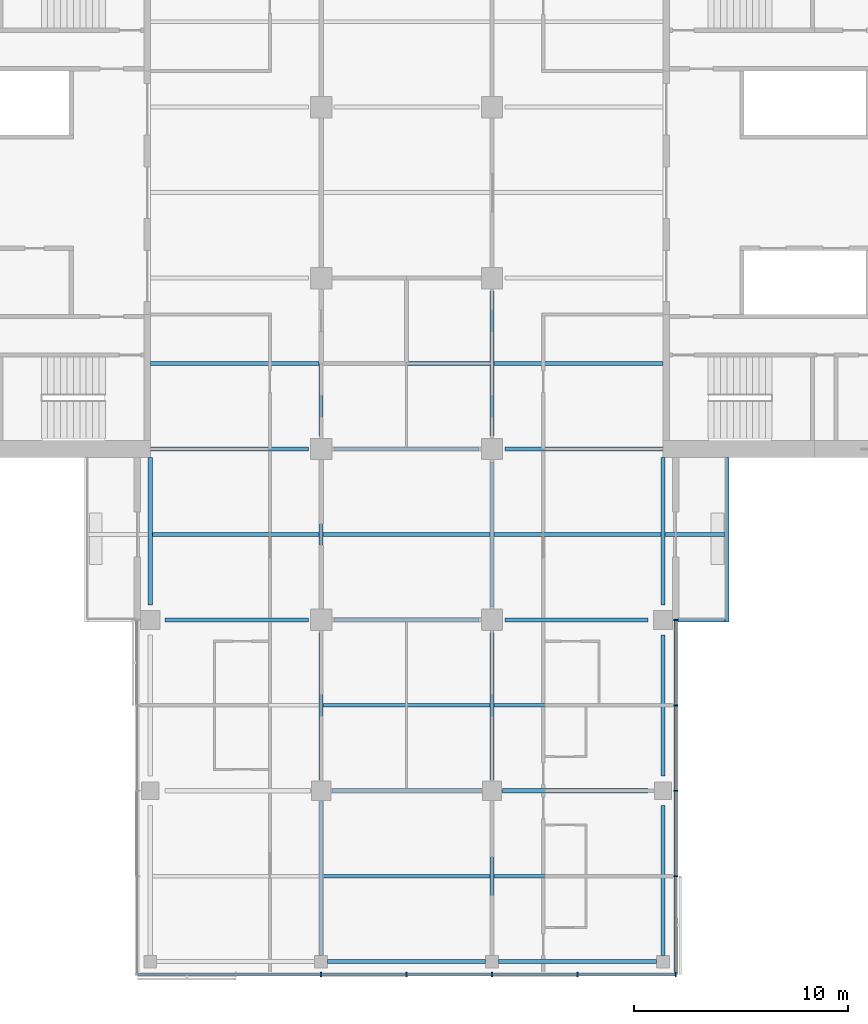
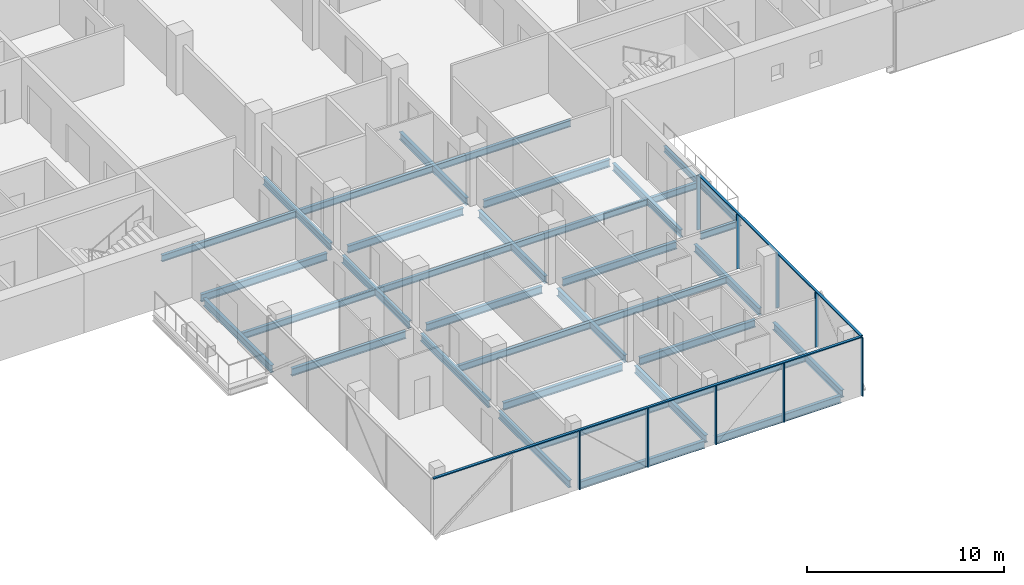
# One storey, part 4 of 25: 35 beams, 11 members, 2 elements without a shape of their own.
"""IFC4 building model written with IfcOpenShell, lengths in metres."""

from ifc_helpers import new_model, si_unit, direction, frame, origin, origin_2d, place, context, subcontext, project, spatial, rectangle, i_section, extrude, material, material_profile, profile_set, type_object, element, aggregate, save


model = new_model("IFC4")

# Units and contexts
model_context = context("Model", 3, precision=1e-05, world=origin(), true_north=direction((0.0, 1.0)))
body_context = subcontext(model_context, "Body", "Model", "MODEL_VIEW")
ifc_project = project(units=[si_unit("LENGTHUNIT", "METRE"), si_unit("AREAUNIT", "SQUARE_METRE"), si_unit("VOLUMEUNIT", "CUBIC_METRE"), si_unit("PLANEANGLEUNIT", "RADIAN"), si_unit("MASSUNIT", "GRAM", prefix="KILO")], contexts=[model_context])

# Site, building, storey
site_placement = place(None, origin())
site = spatial("IfcSite", under=ifc_project, at=site_placement, CompositionType="ELEMENT")
building_placement = place(site_placement, origin())
building = spatial("IfcBuilding", under=site, at=building_placement, Name="Crosswind Convention Tower", CompositionType="ELEMENT")
storey_placement = place(building_placement, frame((0.0, 0.0, 97.89990234375)))
storey = spatial("IfcBuildingStorey", under=building, at=storey_placement, Name="L19", CompositionType="ELEMENT", Elevation=97.89990234375)

# Beams
ifc_material_1 = material(Name="Steel S355", Category="steel")
ifc_material_profile_1 = material_profile(ifc_material_1, i_section(OverallWidth=0.177734375, OverallDepth=0.406494140625, WebThickness=0.0078125, FlangeThickness=0.0126953125, FilletRadius=0.01025390625, at=origin_2d()), Name="UB 406x178x60")
ifc_profile_set_1 = profile_set([ifc_material_profile_1], Name="Steel S355")
beam_type_1 = type_object("IfcBeamType", Name="Balcony cantilever UB 406x178x60", PredefinedType="BEAM", material=ifc_profile_set_1)
beam_1_placement = place(storey_placement, frame((137.09521484375, 84.0, -0.483154296875), z_axis=(1.0, 0.0, 0.0), x_axis=(0.0, 1.0, 0.0)))
element("IfcBeam", 1, at=beam_1_placement, inside=storey, type_object=beam_type_1, Name="B35 L19 balcony cantilever SE 10", PredefinedType="BEAM", context=body_context, shape_type="SweptSolid", body=[
    extrude(i_section(OverallWidth=0.177734375, OverallDepth=0.406494140625, WebThickness=0.0078125, FlangeThickness=0.0126953125, FilletRadius=0.01025390625, at=origin_2d()), origin(), (0.0, 0.0, 1.0), 2.8193359375),
])
beam_2_placement = place(storey_placement, frame((137.699951171875, 80.0, -0.483154296875), z_axis=(1.0, 0.0, 0.0), x_axis=(0.0, 1.0, 0.0)))
element("IfcBeam", 2, at=beam_2_placement, inside=storey, type_object=beam_type_1, Name="B35 L19 balcony cantilever SE 11", PredefinedType="BEAM", context=body_context, shape_type="SweptSolid", body=[
    extrude(i_section(OverallWidth=0.177734375, OverallDepth=0.406494140625, WebThickness=0.0078125, FlangeThickness=0.0126953125, FilletRadius=0.01025390625, at=origin_2d()), origin(), (0.0, 0.0, 1.0), 2.214599609375),
])
ifc_material_profile_2 = material_profile(ifc_material_1, i_section(OverallWidth=0.1708984375, OverallDepth=0.35205078125, WebThickness=0.0068359375, FlangeThickness=0.009765625, FilletRadius=0.01025390625, at=origin_2d()), Name="UB 356x171x45")
ifc_profile_set_2 = profile_set([ifc_material_profile_2], Name="Steel S355")
beam_type_2 = type_object("IfcBeamType", Name="Balcony edge beam UB 356x171x45", PredefinedType="BEAM", material=ifc_profile_set_2)
beam_3_placement = place(storey_placement, frame((140.0, 87.60009765625, -0.455810546875), z_axis=(0.0, -1.0, 0.0), x_axis=(1.0, 0.0, 0.0)))
element("IfcBeam", 3, at=beam_3_placement, inside=storey, type_object=beam_type_2, Name="B37 L19 balcony edge beam SE 12", PredefinedType="BEAM", context=body_context, shape_type="SweptSolid", body=[
    extrude(i_section(OverallWidth=0.1708984375, OverallDepth=0.35205078125, WebThickness=0.0068359375, FlangeThickness=0.009765625, FilletRadius=0.01025390625, at=origin_2d()), origin(), (0.0, 0.0, 1.0), 7.68896484375),
])
ifc_material_profile_3 = material_profile(ifc_material_1, i_section(OverallWidth=0.1904296875, OverallDepth=0.457275390625, WebThickness=0.009033203125, FlangeThickness=0.014404296875, FilletRadius=0.01025390625, at=origin_2d()), Name="UB 457x191x75")
ifc_profile_set_3 = profile_set([ifc_material_profile_3], Name="Steel S355")
beam_type_3 = type_object("IfcBeamType", Name="Edge beam UB 457x191x75", PredefinedType="SPANDREL", material=ifc_profile_set_3)
beam_4_placement = place(storey_placement, frame((113.0, 80.699951171875, -0.508544921875), z_axis=(0.0, 1.0, 0.0), x_axis=(-1.0, 0.0, 0.0)))
element("IfcBeam", 4, at=beam_4_placement, inside=storey, type_object=beam_type_3, Name="B17 L19 edge beam 8", PredefinedType="SPANDREL", context=body_context, shape_type="SweptSolid", body=[
    extrude(i_section(OverallWidth=0.1904296875, OverallDepth=0.457275390625, WebThickness=0.009033203125, FlangeThickness=0.014404296875, FilletRadius=0.01025390625, at=origin_2d()), origin(), (0.0, 0.0, 1.0), 6.900146484375),
])
for number, where, z_axis, x_axis, name in (
    (5, (121.300048828125, 64.0, -0.508544921875), (1.0, 0.0, 0.0), (0.0, 1.0, 0.0), "B17 L19 edge beam 14"),
    (6, (129.300048828125, 64.0, -0.508544921875), (1.0, 0.0, 0.0), (0.0, 1.0, 0.0), "B17 L19 edge beam 16"),
):
    element("IfcBeam", number, at=place(storey_placement, frame(where, z_axis=z_axis, x_axis=x_axis)), inside=storey, type_object=beam_type_3, Name=name, PredefinedType="SPANDREL", context=body_context, shape_type="SweptSolid", body=[
        extrude(i_section(OverallWidth=0.1904296875, OverallDepth=0.457275390625, WebThickness=0.009033203125, FlangeThickness=0.014404296875, FilletRadius=0.01025390625, at=origin_2d()), origin(), (0.0, 0.0, 1.0), 7.39990234375),
    ])
beam_5_placement = place(storey_placement, frame((137.0, 64.300048828125, -0.508544921875), z_axis=(0.0, 1.0, 0.0), x_axis=(-1.0, 0.0, 0.0)))
element("IfcBeam", 7, at=beam_5_placement, inside=storey, type_object=beam_type_3, Name="B17 L19 edge beam 18", PredefinedType="SPANDREL", context=body_context, shape_type="SweptSolid", body=[
    extrude(i_section(OverallWidth=0.1904296875, OverallDepth=0.457275390625, WebThickness=0.009033203125, FlangeThickness=0.014404296875, FilletRadius=0.01025390625, at=origin_2d()), origin(), (0.0, 0.0, 1.0), 7.0),
])
beam_6_placement = place(storey_placement, frame((137.0, 72.699951171875, -0.508544921875), z_axis=(0.0, 1.0, 0.0), x_axis=(-1.0, 0.0, 0.0)))
element("IfcBeam", 8, at=beam_6_placement, inside=storey, type_object=beam_type_3, Name="B17 L19 edge beam 19", PredefinedType="SPANDREL", context=body_context, shape_type="SweptSolid", body=[
    extrude(i_section(OverallWidth=0.1904296875, OverallDepth=0.457275390625, WebThickness=0.009033203125, FlangeThickness=0.014404296875, FilletRadius=0.01025390625, at=origin_2d()), origin(), (0.0, 0.0, 1.0), 6.60009765625),
])
beam_7_placement = place(storey_placement, frame((137.0, 80.699951171875, -0.508544921875), z_axis=(0.0, 1.0, 0.0), x_axis=(-1.0, 0.0, 0.0)))
element("IfcBeam", 9, at=beam_7_placement, inside=storey, type_object=beam_type_3, Name="B17 L19 edge beam 20", PredefinedType="SPANDREL", context=body_context, shape_type="SweptSolid", body=[
    extrude(i_section(OverallWidth=0.1904296875, OverallDepth=0.457275390625, WebThickness=0.009033203125, FlangeThickness=0.014404296875, FilletRadius=0.01025390625, at=origin_2d()), origin(), (0.0, 0.0, 1.0), 6.900146484375),
])
ifc_material_profile_4 = material_profile(ifc_material_1, i_section(OverallWidth=0.19140625, OverallDepth=0.460205078125, WebThickness=0.010009765625, FlangeThickness=0.01611328125, FilletRadius=0.01025390625, at=origin_2d()), Name="UB 457x191x82")
ifc_profile_set_4 = profile_set([ifc_material_profile_4], Name="Steel S355")
beam_type_4 = type_object("IfcBeamType", Name="Girder UB 457x191x82", PredefinedType="BEAM", material=ifc_profile_set_4)
beam_8_placement = place(storey_placement, frame((113.699951171875, 80.0, -0.510009765625), z_axis=(1.0, 0.0, 0.0), x_axis=(0.0, 1.0, 0.0)))
element("IfcBeam", 10, at=beam_8_placement, inside=storey, type_object=beam_type_4, Name="B3 L19 girder 2", PredefinedType="BEAM", context=body_context, shape_type="SweptSolid", body=[
    extrude(i_section(OverallWidth=0.19140625, OverallDepth=0.460205078125, WebThickness=0.010009765625, FlangeThickness=0.01611328125, FilletRadius=0.01025390625, at=origin_2d()), origin(), (0.0, 0.0, 1.0), 6.699951171875),
])
beam_9_placement = place(storey_placement, frame((121.0, 64.300048828125, -0.510009765625), z_axis=(0.0, 1.0, 0.0), x_axis=(-1.0, 0.0, 0.0)))
element("IfcBeam", 11, at=beam_9_placement, inside=storey, type_object=beam_type_4, Name="B3 L19 girder 5", PredefinedType="BEAM", context=body_context, shape_type="SweptSolid", body=[
    extrude(i_section(OverallWidth=0.19140625, OverallDepth=0.460205078125, WebThickness=0.010009765625, FlangeThickness=0.01611328125, FilletRadius=0.01025390625, at=origin_2d()), origin(), (0.0, 0.0, 1.0), 7.199951171875),
])
beam_10_placement = place(storey_placement, frame((121.0, 72.5, -0.510009765625), z_axis=(0.0, 1.0, 0.0), x_axis=(-1.0, 0.0, 0.0)))
element("IfcBeam", 12, at=beam_10_placement, inside=storey, type_object=beam_type_4, Name="B3 L19 girder 6", PredefinedType="BEAM", context=body_context, shape_type="SweptSolid", body=[
    extrude(i_section(OverallWidth=0.19140625, OverallDepth=0.460205078125, WebThickness=0.010009765625, FlangeThickness=0.01611328125, FilletRadius=0.01025390625, at=origin_2d()), origin(), (0.0, 0.0, 1.0), 6.89990234375),
])
for number, where, z_axis, x_axis, name in (
    (13, (121.0, 80.60009765625, -0.510009765625), (0.0, 1.0, 0.0), (-1.0, 0.0, 0.0), "B3 L19 girder 7"),
    (14, (121.0, 88.60009765625, -0.510009765625), (0.0, 1.0, 0.0), (-1.0, 0.0, 0.0), "B3 L19 girder 8"),
):
    element("IfcBeam", number, at=place(storey_placement, frame(where, z_axis=z_axis, x_axis=x_axis)), inside=storey, type_object=beam_type_4, Name=name, PredefinedType="BEAM", context=body_context, shape_type="SweptSolid", body=[
        extrude(i_section(OverallWidth=0.19140625, OverallDepth=0.460205078125, WebThickness=0.010009765625, FlangeThickness=0.01611328125, FilletRadius=0.01025390625, at=origin_2d()), origin(), (0.0, 0.0, 1.0), 6.7998046875),
    ])
beam_11_placement = place(storey_placement, frame((121.5, 72.0, -0.510009765625), z_axis=(1.0, 0.0, 0.0), x_axis=(0.0, 1.0, 0.0)))
element("IfcBeam", 15, at=beam_11_placement, inside=storey, type_object=beam_type_4, Name="B3 L19 girder 14", PredefinedType="BEAM", context=body_context, shape_type="SweptSolid", body=[
    extrude(i_section(OverallWidth=0.19140625, OverallDepth=0.460205078125, WebThickness=0.010009765625, FlangeThickness=0.01611328125, FilletRadius=0.01025390625, at=origin_2d()), origin(), (0.0, 0.0, 1.0), 7.0),
])
for number, where, z_axis, x_axis, name in (
    (16, (121.60009765625, 80.0, -0.510009765625), (1.0, 0.0, 0.0), (0.0, 1.0, 0.0), "B3 L19 girder 16"),
    (17, (121.60009765625, 88.0, -0.510009765625), (1.0, 0.0, 0.0), (0.0, 1.0, 0.0), "B3 L19 girder 17"),
):
    element("IfcBeam", number, at=place(storey_placement, frame(where, z_axis=z_axis, x_axis=x_axis)), inside=storey, type_object=beam_type_4, Name=name, PredefinedType="BEAM", context=body_context, shape_type="SweptSolid", body=[
        extrude(i_section(OverallWidth=0.19140625, OverallDepth=0.460205078125, WebThickness=0.010009765625, FlangeThickness=0.01611328125, FilletRadius=0.01025390625, at=origin_2d()), origin(), (0.0, 0.0, 1.0), 6.7998046875),
    ])
beam_12_placement = place(storey_placement, frame((129.0, 64.300048828125, -0.510009765625), z_axis=(0.0, 1.0, 0.0), x_axis=(-1.0, 0.0, 0.0)))
element("IfcBeam", 18, at=beam_12_placement, inside=storey, type_object=beam_type_4, Name="B3 L19 girder 22", PredefinedType="BEAM", context=body_context, shape_type="SweptSolid", body=[
    extrude(i_section(OverallWidth=0.19140625, OverallDepth=0.460205078125, WebThickness=0.010009765625, FlangeThickness=0.01611328125, FilletRadius=0.01025390625, at=origin_2d()), origin(), (0.0, 0.0, 1.0), 7.199951171875),
])
beam_13_placement = place(storey_placement, frame((129.0, 72.5, -0.510009765625), z_axis=(0.0, 1.0, 0.0), x_axis=(-1.0, 0.0, 0.0)))
element("IfcBeam", 19, at=beam_13_placement, inside=storey, type_object=beam_type_4, Name="B3 L19 girder 23", PredefinedType="BEAM", context=body_context, shape_type="SweptSolid", body=[
    extrude(i_section(OverallWidth=0.19140625, OverallDepth=0.460205078125, WebThickness=0.010009765625, FlangeThickness=0.01611328125, FilletRadius=0.01025390625, at=origin_2d()), origin(), (0.0, 0.0, 1.0), 6.89990234375),
])
for number, where, z_axis, x_axis, name in (
    (20, (129.0, 80.60009765625, -0.510009765625), (0.0, 1.0, 0.0), (-1.0, 0.0, 0.0), "B3 L19 girder 24"),
    (21, (129.0, 88.60009765625, -0.510009765625), (0.0, 1.0, 0.0), (-1.0, 0.0, 0.0), "B3 L19 girder 25"),
):
    element("IfcBeam", number, at=place(storey_placement, frame(where, z_axis=z_axis, x_axis=x_axis)), inside=storey, type_object=beam_type_4, Name=name, PredefinedType="BEAM", context=body_context, shape_type="SweptSolid", body=[
        extrude(i_section(OverallWidth=0.19140625, OverallDepth=0.460205078125, WebThickness=0.010009765625, FlangeThickness=0.01611328125, FilletRadius=0.01025390625, at=origin_2d()), origin(), (0.0, 0.0, 1.0), 6.7998046875),
    ])
beam_14_placement = place(storey_placement, frame((129.5, 72.0, -0.510009765625), z_axis=(1.0, 0.0, 0.0), x_axis=(0.0, 1.0, 0.0)))
element("IfcBeam", 22, at=beam_14_placement, inside=storey, type_object=beam_type_4, Name="B3 L19 girder 31", PredefinedType="BEAM", context=body_context, shape_type="SweptSolid", body=[
    extrude(i_section(OverallWidth=0.19140625, OverallDepth=0.460205078125, WebThickness=0.010009765625, FlangeThickness=0.01611328125, FilletRadius=0.01025390625, at=origin_2d()), origin(), (0.0, 0.0, 1.0), 6.800048828125),
])
beam_15_placement = place(storey_placement, frame((129.60009765625, 80.0, -0.510009765625), z_axis=(1.0, 0.0, 0.0), x_axis=(0.0, 1.0, 0.0)))
element("IfcBeam", 23, at=beam_15_placement, inside=storey, type_object=beam_type_4, Name="B3 L19 girder 33", PredefinedType="BEAM", context=body_context, shape_type="SweptSolid", body=[
    extrude(i_section(OverallWidth=0.19140625, OverallDepth=0.460205078125, WebThickness=0.010009765625, FlangeThickness=0.01611328125, FilletRadius=0.01025390625, at=origin_2d()), origin(), (0.0, 0.0, 1.0), 6.699951171875),
])
ifc_material_profile_5 = material_profile(ifc_material_1, i_section(OverallWidth=0.19189453125, OverallDepth=0.463623046875, WebThickness=0.010498046875, FlangeThickness=0.017578125, FilletRadius=0.01025390625, at=origin_2d()), Name="UB 457x191x90")
ifc_profile_set_5 = profile_set([ifc_material_profile_5], Name="Steel S355")
beam_type_5 = type_object("IfcBeamType", Name="Girder at core wall UB 457x191x90", PredefinedType="BEAM", material=ifc_profile_set_5)
for number, where, z_axis, x_axis, name in (
    (24, (113.0, 88.0, -0.51171875), (1.0, 0.0, 0.0), (0.0, 1.0, 0.0), "B24 L19 girder at core wall 3"),
    (25, (129.60009765625, 88.0, -0.51171875), (1.0, 0.0, 0.0), (0.0, 1.0, 0.0), "B24 L19 girder at core wall 7"),
):
    element("IfcBeam", number, at=place(storey_placement, frame(where, z_axis=z_axis, x_axis=x_axis)), inside=storey, type_object=beam_type_5, Name=name, PredefinedType="BEAM", context=body_context, shape_type="SweptSolid", body=[
        extrude(i_section(OverallWidth=0.19189453125, OverallDepth=0.463623046875, WebThickness=0.010498046875, FlangeThickness=0.017578125, FilletRadius=0.01025390625, at=origin_2d()), origin(), (0.0, 0.0, 1.0), 7.39990234375),
    ])

# Curtain wall, members
ifc_material_2 = material(Name="Aluminium unitised curtain wall", Category="aluminium")
curtain_wall_type = type_object("IfcCurtainWallType", Name="HOTEL UNITISED WALL 200", PredefinedType="USERDEFINED", material=ifc_material_2)
curtain_wall_1_placement = place(storey_placement, origin())
curtain_wall_1 = element("IfcCurtainWall", 26, at=curtain_wall_1_placement, inside=storey, type_object=curtain_wall_type, Name="CW2 L19 S-TIP 1", ObjectType="UNITISED", PredefinedType="USERDEFINED")
ifc_material_3 = material(Name="Aluminium mullion", Category="aluminium")
ifc_material_profile_6 = material_profile(ifc_material_3, rectangle(XDim=0.199951171875, YDim=0.06494140625, at=origin_2d()), Name="AL 200X65")
ifc_profile_set_6 = profile_set([ifc_material_profile_6], Name="Aluminium mullion")
member_type_1 = type_object("IfcMemberType", Name="MULLION 65X200", PredefinedType="MULLION", material=ifc_profile_set_6)
member_1_placement = place(storey_placement, frame((121.0, 63.39990234375, -0.27978515625), z_axis=(0.0, 0.0, 1.0), x_axis=(0.0, -1.0, 0.0)))
member_1 = element("IfcMember", 27, at=member_1_placement, type_object=member_type_1, Name="CW2 mullion 3", PredefinedType="MULLION", context=body_context, shape_type="SweptSolid", body=[
    extrude(rectangle(XDim=0.199951171875, YDim=0.06494140625, at=origin_2d()), origin(), (0.0, 0.0, 1.0), 3.634765625),
])
member_2_placement = place(storey_placement, frame((125.0, 63.39990234375, -0.27978515625), z_axis=(0.0, 0.0, 1.0), x_axis=(0.0, -1.0, 0.0)))
member_2 = element("IfcMember", 28, at=member_2_placement, type_object=member_type_1, Name="CW2 mullion 4", PredefinedType="MULLION", context=body_context, shape_type="SweptSolid", body=[
    extrude(rectangle(XDim=0.199951171875, YDim=0.06494140625, at=origin_2d()), origin(), (0.0, 0.0, 1.0), 3.634765625),
])
member_3_placement = place(storey_placement, frame((129.0, 63.39990234375, -0.27978515625), z_axis=(0.0, 0.0, 1.0), x_axis=(0.0, -1.0, 0.0)))
member_3 = element("IfcMember", 29, at=member_3_placement, type_object=member_type_1, Name="CW2 mullion 5", PredefinedType="MULLION", context=body_context, shape_type="SweptSolid", body=[
    extrude(rectangle(XDim=0.199951171875, YDim=0.06494140625, at=origin_2d()), origin(), (0.0, 0.0, 1.0), 3.634765625),
])
member_4_placement = place(storey_placement, frame((133.0, 63.39990234375, -0.27978515625), z_axis=(0.0, 0.0, 1.0), x_axis=(0.0, -1.0, 0.0)))
member_4 = element("IfcMember", 30, at=member_4_placement, type_object=member_type_1, Name="CW2 mullion 6", PredefinedType="MULLION", context=body_context, shape_type="SweptSolid", body=[
    extrude(rectangle(XDim=0.199951171875, YDim=0.06494140625, at=origin_2d()), origin(), (0.0, 0.0, 1.0), 3.634765625),
])
member_5_placement = place(storey_placement, frame((137.60009765625, 63.39990234375, -0.27978515625), z_axis=(0.0, 0.0, 1.0), x_axis=(0.0, -1.0, 0.0)))
member_5 = element("IfcMember", 31, at=member_5_placement, type_object=member_type_1, Name="CW2 mullion 7", PredefinedType="MULLION", context=body_context, shape_type="SweptSolid", body=[
    extrude(rectangle(XDim=0.199951171875, YDim=0.06494140625, at=origin_2d()), origin(), (0.0, 0.0, 1.0), 3.634765625),
])

curtain_wall_2_placement = place(storey_placement, origin())
curtain_wall_2 = element("IfcCurtainWall", 32, at=curtain_wall_2_placement, inside=storey, type_object=curtain_wall_type, Name="CW2 L19 S-E 1", ObjectType="UNITISED", PredefinedType="USERDEFINED")
member_6_placement = place(storey_placement, frame((137.60009765625, 68.0, -0.044921875), z_axis=(0.0, 0.0, 1.0), x_axis=(1.0, 0.0, 0.0)))
member_6 = element("IfcMember", 33, at=member_6_placement, type_object=member_type_1, Name="CW2 mullion 2", PredefinedType="MULLION", context=body_context, shape_type="SweptSolid", body=[
    extrude(rectangle(XDim=0.199951171875, YDim=0.06494140625, at=origin_2d()), origin(), (0.0, 0.0, 1.0), 3.39990234375),
])
member_7_placement = place(storey_placement, frame((137.60009765625, 72.0, -0.044921875), z_axis=(0.0, 0.0, 1.0), x_axis=(1.0, 0.0, 0.0)))
member_7 = element("IfcMember", 34, at=member_7_placement, type_object=member_type_1, Name="CW2 mullion 3", PredefinedType="MULLION", context=body_context, shape_type="SweptSolid", body=[
    extrude(rectangle(XDim=0.199951171875, YDim=0.06494140625, at=origin_2d()), origin(), (0.0, 0.0, 1.0), 3.39990234375),
])
member_8_placement = place(storey_placement, frame((137.60009765625, 76.0, -0.044921875), z_axis=(0.0, 0.0, 1.0), x_axis=(1.0, 0.0, 0.0)))
member_8 = element("IfcMember", 35, at=member_8_placement, type_object=member_type_1, Name="CW2 mullion 4", PredefinedType="MULLION", context=body_context, shape_type="SweptSolid", body=[
    extrude(rectangle(XDim=0.199951171875, YDim=0.06494140625, at=origin_2d()), origin(), (0.0, 0.0, 1.0), 3.39990234375),
])
member_9_placement = place(storey_placement, frame((137.60009765625, 80.0, -0.044921875), z_axis=(0.0, 0.0, 1.0), x_axis=(1.0, 0.0, 0.0)))
member_9 = element("IfcMember", 36, at=member_9_placement, type_object=member_type_1, Name="CW2 mullion 5", PredefinedType="MULLION", context=body_context, shape_type="SweptSolid", body=[
    extrude(rectangle(XDim=0.199951171875, YDim=0.06494140625, at=origin_2d()), origin(), (0.0, 0.0, 1.0), 3.39990234375),
])

# Beams
ifc_material_profile_7 = material_profile(ifc_material_1, i_section(OverallWidth=0.177734375, OverallDepth=0.406494140625, WebThickness=0.0078125, FlangeThickness=0.0126953125, FilletRadius=0.01025390625, at=origin_2d()), Name="UB 406x178x60")
ifc_profile_set_7 = profile_set([ifc_material_profile_7], Name="Steel S355")
beam_type_6 = type_object("IfcBeamType", Name="Secondary beam UB 406x178x60", PredefinedType="JOIST", material=ifc_profile_set_7)
beam_16_placement = place(storey_placement, frame((113.0, 92.0, -0.483154296875), z_axis=(1.0, 0.0, 0.0), x_axis=(0.0, 1.0, 0.0)))
element("IfcBeam", 37, at=beam_16_placement, inside=storey, type_object=beam_type_6, Name="B10 L19 secondary beam 4", PredefinedType="JOIST", context=body_context, shape_type="SweptSolid", body=[
    extrude(i_section(OverallWidth=0.177734375, OverallDepth=0.406494140625, WebThickness=0.0078125, FlangeThickness=0.0126953125, FilletRadius=0.01025390625, at=origin_2d()), origin(), (0.0, 0.0, 1.0), 7.904296875),
])
beam_17_placement = place(storey_placement, frame((113.09521484375, 84.0, -0.483154296875), z_axis=(1.0, 0.0, 0.0), x_axis=(0.0, 1.0, 0.0)))
element("IfcBeam", 38, at=beam_17_placement, inside=storey, type_object=beam_type_6, Name="B10 L19 secondary beam 9", PredefinedType="JOIST", context=body_context, shape_type="SweptSolid", body=[
    extrude(i_section(OverallWidth=0.177734375, OverallDepth=0.406494140625, WebThickness=0.0078125, FlangeThickness=0.0126953125, FilletRadius=0.01025390625, at=origin_2d()), origin(), (0.0, 0.0, 1.0), 7.80908203125),
])
for number, where, z_axis, x_axis, name in (
    (39, (121.095703125, 68.0, -0.483154296875), (1.0, 0.0, 0.0), (0.0, 1.0, 0.0), "B10 L19 secondary beam 13"),
    (40, (121.095703125, 76.0, -0.483154296875), (1.0, 0.0, 0.0), (0.0, 1.0, 0.0), "B10 L19 secondary beam 14"),
    (41, (121.095703125, 84.0, -0.483154296875), (1.0, 0.0, 0.0), (0.0, 1.0, 0.0), "B10 L19 secondary beam 15"),
    (42, (121.095703125, 92.0, -0.483154296875), (1.0, 0.0, 0.0), (0.0, 1.0, 0.0), "B10 L19 secondary beam 16"),
):
    element("IfcBeam", number, at=place(storey_placement, frame(where, z_axis=z_axis, x_axis=x_axis)), inside=storey, type_object=beam_type_6, Name=name, PredefinedType="JOIST", context=body_context, shape_type="SweptSolid", body=[
        extrude(i_section(OverallWidth=0.177734375, OverallDepth=0.406494140625, WebThickness=0.0078125, FlangeThickness=0.0126953125, FilletRadius=0.01025390625, at=origin_2d()), origin(), (0.0, 0.0, 1.0), 7.80859375),
    ])
for number, where, z_axis, x_axis, name in (
    (43, (129.095703125, 68.0, -0.483154296875), (1.0, 0.0, 0.0), (0.0, 1.0, 0.0), "B10 L19 secondary beam 22"),
    (44, (129.095703125, 76.0, -0.483154296875), (1.0, 0.0, 0.0), (0.0, 1.0, 0.0), "B10 L19 secondary beam 23"),
    (45, (129.095703125, 84.0, -0.483154296875), (1.0, 0.0, 0.0), (0.0, 1.0, 0.0), "B10 L19 secondary beam 24"),
):
    element("IfcBeam", number, at=place(storey_placement, frame(where, z_axis=z_axis, x_axis=x_axis)), inside=storey, type_object=beam_type_6, Name=name, PredefinedType="JOIST", context=body_context, shape_type="SweptSolid", body=[
        extrude(i_section(OverallWidth=0.177734375, OverallDepth=0.406494140625, WebThickness=0.0078125, FlangeThickness=0.0126953125, FilletRadius=0.01025390625, at=origin_2d()), origin(), (0.0, 0.0, 1.0), 7.80908203125),
    ])
beam_18_placement = place(storey_placement, frame((129.095703125, 92.0, -0.483154296875), z_axis=(1.0, 0.0, 0.0), x_axis=(0.0, 1.0, 0.0)))
element("IfcBeam", 46, at=beam_18_placement, inside=storey, type_object=beam_type_6, Name="B10 L19 secondary beam 25", PredefinedType="JOIST", context=body_context, shape_type="SweptSolid", body=[
    extrude(i_section(OverallWidth=0.177734375, OverallDepth=0.406494140625, WebThickness=0.0078125, FlangeThickness=0.0126953125, FilletRadius=0.01025390625, at=origin_2d()), origin(), (0.0, 0.0, 1.0), 7.904296875),
])

# Member
ifc_material_4 = material(Name="Aluminium transom", Category="aluminium")
ifc_material_profile_8 = material_profile(ifc_material_4, rectangle(XDim=0.14990234375, YDim=0.06494140625, at=origin_2d()), Name="AL 150X65")
ifc_profile_set_8 = profile_set([ifc_material_profile_8], Name="Aluminium transom")
member_type_2 = type_object("IfcMemberType", Name="TRANSOM 65X150", PredefinedType="USERDEFINED", material=ifc_profile_set_8)
member_10_placement = place(storey_placement, frame((112.4326171875, 63.39990234375, 3.3876953125), z_axis=(1.0, 0.0, 0.0), x_axis=(0.0, 1.0, 0.0)))
member_10 = element("IfcMember", 47, at=member_10_placement, type_object=member_type_2, Name="CW2 transom", ObjectType="TRANSOM", PredefinedType="USERDEFINED", context=body_context, shape_type="SweptSolid", body=[
    extrude(rectangle(XDim=0.14990234375, YDim=0.06494140625, at=origin_2d()), origin(), (0.0, 0.0, 1.0), 25.134765625),
])

aggregate(curtain_wall_1, [member_1, member_2, member_3, member_4, member_5, member_10])

member_11_placement = place(storey_placement, frame((137.60009765625, 63.4326171875, 3.3876953125), z_axis=(0.0, 1.0, 0.0), x_axis=(-1.0, 0.0, 0.0)))
member_11 = element("IfcMember", 48, at=member_11_placement, type_object=member_type_2, Name="CW2 transom", ObjectType="TRANSOM", PredefinedType="USERDEFINED", context=body_context, shape_type="SweptSolid", body=[
    extrude(rectangle(XDim=0.14990234375, YDim=0.06494140625, at=origin_2d()), origin(), (0.0, 0.0, 1.0), 16.534912109375),
])

aggregate(curtain_wall_2, [member_6, member_7, member_8, member_9, member_11])

save(model, "model.ifc")
